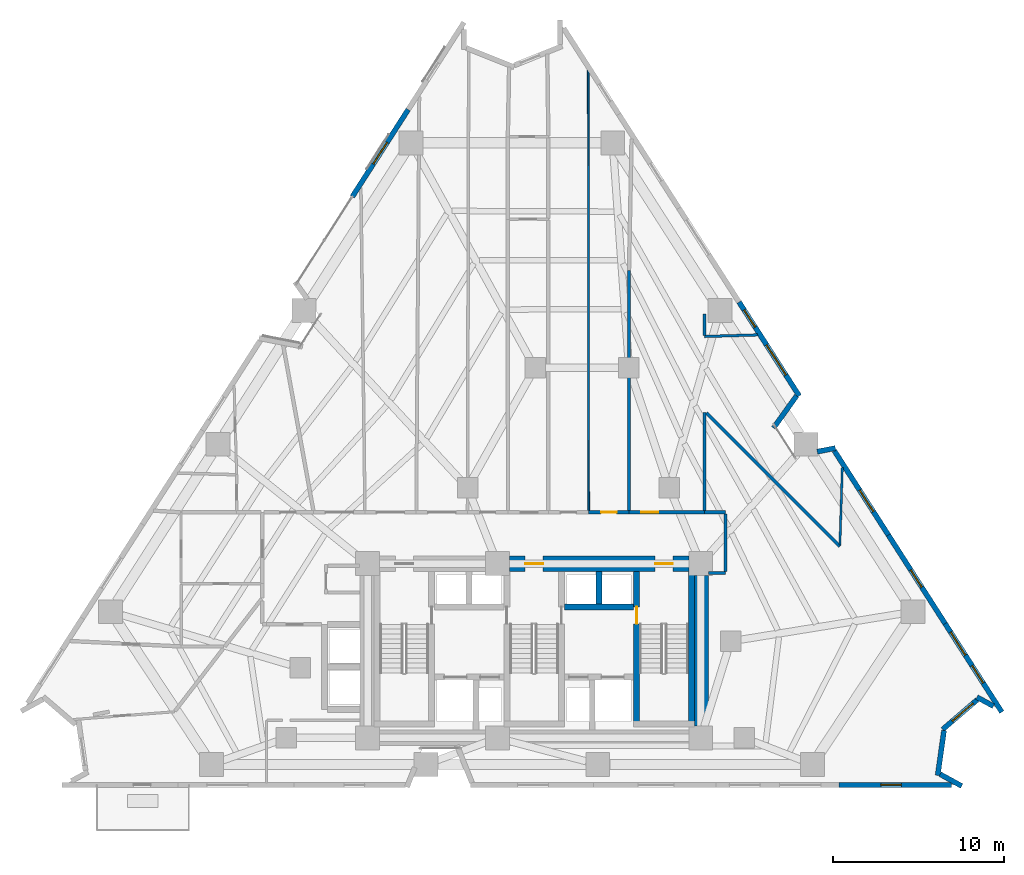
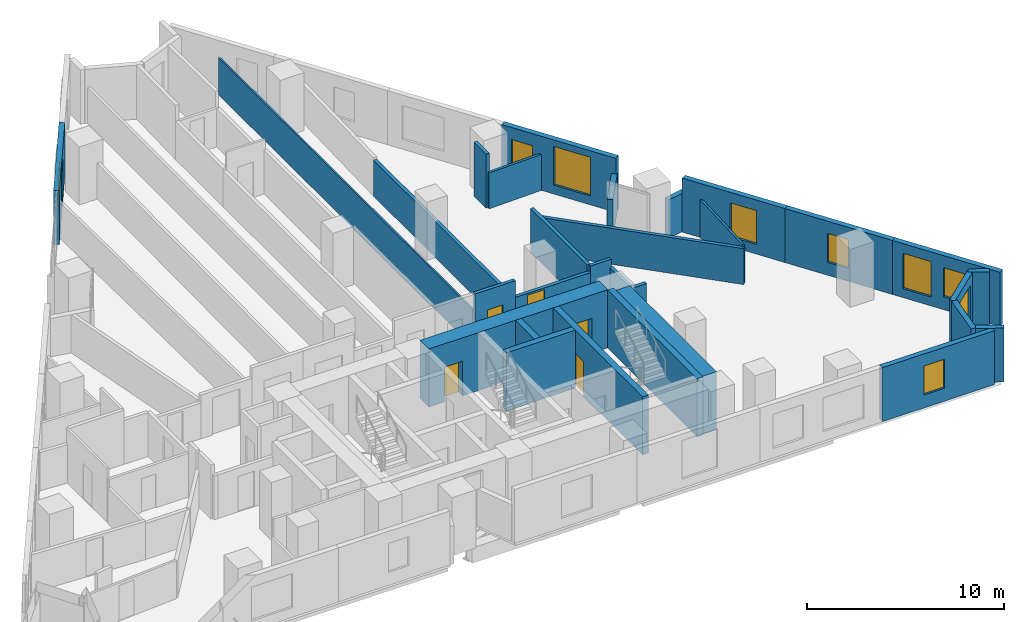
# One storey, part 10 of 14: 30 walls, 9 windows, 5 doors, 14 openings.
"""IFC4 building model written with IfcOpenShell, lengths in metres."""

from ifc_helpers import new_model, si_unit, direction, frame, frame_2d, origin, place, context, subcontext, project, spatial, rectangle, extrude, material, layer, layer_set, type_object, element, fill, save


model = new_model("IFC4")

# Units and contexts
model_context = context("Model", 3, precision=1e-05, world=origin(), true_north=direction((0.0, 1.0)))
body_context = subcontext(model_context, "Body", "Model", "MODEL_VIEW")
ifc_project = project(units=[si_unit("LENGTHUNIT", "METRE"), si_unit("AREAUNIT", "SQUARE_METRE"), si_unit("VOLUMEUNIT", "CUBIC_METRE"), si_unit("PLANEANGLEUNIT", "RADIAN"), si_unit("MASSUNIT", "GRAM", prefix="KILO")], contexts=[model_context])

# Site, building, storey
site_placement = place(None, origin())
site = spatial("IfcSite", under=ifc_project, at=site_placement, CompositionType="ELEMENT")
building_placement = place(site_placement, origin())
building = spatial("IfcBuilding", under=site, at=building_placement, Name="Almagre Mirador Tower", CompositionType="ELEMENT")
storey_placement = place(building_placement, frame((0.0, 0.0, 35.39990234375)))
storey = spatial("IfcBuildingStorey", under=building, at=storey_placement, Name="L07", CompositionType="ELEMENT", Elevation=35.39990234375)

# Wall, opening, window
ifc_material_1 = material(Name="Precast concrete C50/60", Category="concrete")
ifc_layer_1 = layer(ifc_material_1, 0.300048828125)
ifc_layer_set_1 = layer_set([ifc_layer_1], Name="Precast concrete C50/60")
wall_type_1 = type_object("IfcWallType", Name="WAL-EXT-300", PredefinedType="SOLIDWALL", material=ifc_layer_set_1)
wall_1_placement = place(storey_placement, frame((26.65673828125, 36.219970703125, 0.0), z_axis=(0.0, 0.0, 1.0), x_axis=(0.539506453767, 0.841981464371, 0.0)))
wall_1 = element("IfcWall", 1, at=wall_1_placement, inside=storey, type_object=wall_type_1, Name="L07 expressed almagre precast frame wall 03", PredefinedType="SOLIDWALL", context=body_context, shape_type="SweptSolid", body=[
    extrude(rectangle(XDim=6.058349609375, YDim=0.300048828125, at=frame_2d((3.029296875, 0.0))), origin(), (0.0, 0.0, 1.0), 3.35009765625),
])
opening_1_placement = place(wall_1_placement, frame((2.27490234375, 0.0, 0.60009765625)))
opening_1 = element("IfcOpeningElement", 2, at=opening_1_placement, cuts=wall_1, Name="Opening WN-03", PredefinedType="OPENING", context=body_context, shape_type="SweptSolid", body=[
    extrude(rectangle(XDim=1.5, YDim=2.10009765625, at=frame_2d((0.75, 1.050048828125))), frame((0.0, 0.159902, 0.0), z_axis=(0.0, -1.0, 0.0), x_axis=(1.0, 0.0, 0.0)), (0.0, 0.0, 1.0), 0.320049),
])
ifc_material_2 = material(Name="Dark solar-control laminated hurricane glass", Category="glass")
window_type_1 = type_object("IfcWindowType", Name="WIN-1500X2100", PartitioningType="DOUBLE_PANEL_VERTICAL", PredefinedType="WINDOW", material=ifc_material_2)
window_1_placement = place(opening_1_placement, origin())
window_1 = element("IfcWindow", 3, at=window_1_placement, inside=storey, type_object=window_type_1, Name="L07 recessed hurricane window L07-RST-K", OverallHeight=2.10009765625, OverallWidth=1.5, PartitioningType="SINGLE_PANEL", PredefinedType="WINDOW", context=body_context, shape_type="SweptSolid", body=[
    extrude(rectangle(XDim=1.5, YDim=2.10009765625, at=frame_2d((0.75, 1.050048828125))), frame((0.0, 0.030029296875, 0.0), z_axis=(0.0, -1.0, 0.0), x_axis=(1.0, 0.0, 0.0)), (0.0, 0.0, 1.0), 0.06005859375),
])
fill(opening_1, window_1)

# Wall, openings, windows
wall_2_placement = place(storey_placement, frame((49.292724609375, 30.056640625, 0.0), z_axis=(0.0, 0.0, 1.0), x_axis=(0.539509050887, -0.84197980024, 0.0)))
wall_2 = element("IfcWall", 4, at=wall_2_placement, inside=storey, type_object=wall_type_1, Name="L07 expressed almagre precast frame wall 12", PredefinedType="SOLIDWALL", context=body_context, shape_type="SweptSolid", body=[
    extrude(rectangle(XDim=6.52587890625, YDim=0.300048828125, at=frame_2d((3.262939453125, 0.0))), origin(), (0.0, 0.0, 1.0), 3.35009765625),
])
opening_2_placement = place(wall_2_placement, frame((2.97509765625, 0.0, 0.550048828125)))
opening_2 = element("IfcOpeningElement", 5, at=opening_2_placement, cuts=wall_2, Name="Opening WN-05", PredefinedType="OPENING", context=body_context, shape_type="SweptSolid", body=[
    extrude(rectangle(XDim=2.10009765625, YDim=2.39990234375, at=frame_2d((1.050048828125, 1.199951171875))), frame((0.0, 0.159902, 0.0), z_axis=(0.0, -1.0, 0.0), x_axis=(1.0, 0.0, 0.0)), (0.0, 0.0, 1.0), 0.320049),
])
opening_3_placement = place(wall_2_placement, frame((0.550048828125, 0.0, 0.800048828125)))
opening_3 = element("IfcOpeningElement", 6, at=opening_3_placement, cuts=wall_2, Name="Opening WN-04", PredefinedType="OPENING", context=body_context, shape_type="SweptSolid", body=[
    extrude(rectangle(XDim=1.199951171875, YDim=1.800048828125, at=frame_2d((0.60009765625, 0.89990234375))), frame((0.0, 0.159902, 0.0), z_axis=(0.0, -1.0, 0.0), x_axis=(1.0, 0.0, 0.0)), (0.0, 0.0, 1.0), 0.320049),
])
ifc_material_3 = material(Name="Dark solar-control laminated hurricane glass", Category="glass")
window_type_2 = type_object("IfcWindowType", Name="WIN-1200X1800", PartitioningType="SINGLE_PANEL", PredefinedType="WINDOW", material=ifc_material_3)
window_2_placement = place(opening_3_placement, origin())
window_2 = element("IfcWindow", 7, at=window_2_placement, inside=storey, type_object=window_type_2, Name="L07 recessed hurricane window L07-UJ-BT", OverallHeight=1.800048828125, OverallWidth=1.199951171875, PartitioningType="SINGLE_PANEL", PredefinedType="WINDOW", context=body_context, shape_type="SweptSolid", body=[
    extrude(rectangle(XDim=1.199951171875, YDim=1.800048828125, at=frame_2d((0.60009765625, 0.89990234375))), frame((0.0, 0.030029296875, 0.0), z_axis=(0.0, -1.0, 0.0), x_axis=(1.0, 0.0, 0.0)), (0.0, 0.0, 1.0), 0.06005859375),
])
fill(opening_3, window_2)
ifc_material_4 = material(Name="Dark solar-control laminated hurricane glass", Category="glass")
window_type_3 = type_object("IfcWindowType", Name="WIN-2100X2400", PartitioningType="DOUBLE_PANEL_VERTICAL", PredefinedType="WINDOW", material=ifc_material_4)
window_3_placement = place(opening_2_placement, origin())
window_3 = element("IfcWindow", 8, at=window_3_placement, inside=storey, type_object=window_type_3, Name="L07 recessed hurricane window L07-UJ-ST", OverallHeight=2.39990234375, OverallWidth=2.10009765625, PartitioningType="SINGLE_PANEL", PredefinedType="WINDOW", context=body_context, shape_type="SweptSolid", body=[
    extrude(rectangle(XDim=2.10009765625, YDim=2.39990234375, at=frame_2d((1.050048828125, 1.199951171875))), frame((0.0, 0.030029296875, 0.0), z_axis=(0.0, -1.0, 0.0), x_axis=(1.0, 0.0, 0.0)), (0.0, 0.0, 1.0), 0.06005859375),
])
fill(opening_2, window_3)

# Walls
wall_3_placement = place(storey_placement, frame((52.656494140625, 24.566162109375, 0.0), z_axis=(0.0, 0.0, 1.0), x_axis=(-0.583053244013, -0.812433944789, 0.0)))
element("IfcWall", 9, at=wall_3_placement, inside=storey, type_object=wall_type_1, Name="L07 expressed almagre precast frame wall 13", PredefinedType="SOLIDWALL", context=body_context, shape_type="SweptSolid", body=[
    extrude(rectangle(XDim=2.31396484375, YDim=0.300048828125, at=frame_2d((1.156982421875, 0.0))), origin(), (0.0, 0.0, 1.0), 2.375),
])
wall_4_placement = place(storey_placement, frame((53.864013671875, 21.302001953125, 0.0), z_axis=(0.0, 0.0, 1.0), x_axis=(0.981752657473, 0.190162350493, 0.0)))
element("IfcWall", 10, at=wall_4_placement, inside=storey, type_object=wall_type_1, Name="L07 expressed almagre precast frame wall 14", PredefinedType="SOLIDWALL", context=body_context, shape_type="SweptSolid", body=[
    extrude(rectangle(XDim=1.0810546875, YDim=0.300048828125, at=frame_2d((0.54052734375, 0.0))), origin(), (0.0, 0.0, 1.0), 2.375),
])

# Wall, opening, window
wall_5_placement = place(storey_placement, frame((54.863525390625, 21.363037109375, 0.0), z_axis=(0.0, 0.0, 1.0), x_axis=(0.539525561028, -0.841969220932, 0.0)))
wall_5 = element("IfcWall", 11, at=wall_5_placement, inside=storey, type_object=wall_type_1, Name="L07 expressed almagre precast frame wall 15", PredefinedType="SOLIDWALL", context=body_context, shape_type="SweptSolid", body=[
    extrude(rectangle(XDim=5.871826171875, YDim=0.300048828125, at=frame_2d((2.93603515625, 0.0))), origin(), (0.0, 0.0, 1.0), 3.35009765625),
])
opening_4_placement = place(wall_5_placement, frame((2.7451171875, 0.0, 0.60009765625)))
opening_4 = element("IfcOpeningElement", 12, at=opening_4_placement, cuts=wall_5, Name="Opening WN-03", PredefinedType="OPENING", context=body_context, shape_type="SweptSolid", body=[
    extrude(rectangle(XDim=1.5, YDim=2.10009765625, at=frame_2d((0.75, 1.050048828125))), frame((0.0, 0.159902, 0.0), z_axis=(0.0, -1.0, 0.0), x_axis=(1.0, 0.0, 0.0)), (0.0, 0.0, 1.0), 0.320049),
])
window_4_placement = place(opening_4_placement, origin())
window_4 = element("IfcWindow", 13, at=window_4_placement, inside=storey, type_object=window_type_1, Name="L07 recessed hurricane window L07-UJ-KT", OverallHeight=2.10009765625, OverallWidth=1.5, PartitioningType="SINGLE_PANEL", PredefinedType="WINDOW", context=body_context, shape_type="SweptSolid", body=[
    extrude(rectangle(XDim=1.5, YDim=2.10009765625, at=frame_2d((0.75, 1.050048828125))), frame((0.0, 0.030029296875, 0.0), z_axis=(0.0, -1.0, 0.0), x_axis=(1.0, 0.0, 0.0)), (0.0, 0.0, 1.0), 0.06005859375),
])
fill(opening_4, window_4)

wall_6_placement = place(storey_placement, frame((58.031494140625, 16.419189453125, 0.0), z_axis=(0.0, 0.0, 1.0), x_axis=(0.539543497538, -0.841957727125, 0.0)))
wall_6 = element("IfcWall", 14, at=wall_6_placement, inside=storey, type_object=wall_type_1, Name="L07 expressed almagre precast frame wall 16", PredefinedType="SOLIDWALL", context=body_context, shape_type="SweptSolid", body=[
    extrude(rectangle(XDim=6.151611328125, YDim=0.300048828125, at=frame_2d((3.07568359375, 0.0))), origin(), (0.0, 0.0, 1.0), 3.35009765625),
])
opening_5_placement = place(wall_6_placement, frame((2.425048828125, 0.0, 0.800048828125)))
opening_5 = element("IfcOpeningElement", 15, at=opening_5_placement, cuts=wall_6, Name="Opening WN-04", PredefinedType="OPENING", context=body_context, shape_type="SweptSolid", body=[
    extrude(rectangle(XDim=1.199951171875, YDim=1.800048828125, at=frame_2d((0.60009765625, 0.89990234375))), frame((0.0, 0.159902, 0.0), z_axis=(0.0, -1.0, 0.0), x_axis=(1.0, 0.0, 0.0)), (0.0, 0.0, 1.0), 0.320049),
])
window_5_placement = place(opening_5_placement, origin())
window_5 = element("IfcWindow", 16, at=window_5_placement, inside=storey, type_object=window_type_2, Name="L07 recessed hurricane window L07-UJ-KT", OverallHeight=1.800048828125, OverallWidth=1.199951171875, PartitioningType="SINGLE_PANEL", PredefinedType="WINDOW", context=body_context, shape_type="SweptSolid", body=[
    extrude(rectangle(XDim=1.199951171875, YDim=1.800048828125, at=frame_2d((0.60009765625, 0.89990234375))), frame((0.0, 0.030029296875, 0.0), z_axis=(0.0, -1.0, 0.0), x_axis=(1.0, 0.0, 0.0)), (0.0, 0.0, 1.0), 0.06005859375),
])
fill(opening_5, window_5)

# Wall, openings, windows
wall_7_placement = place(storey_placement, frame((61.3505859375, 11.23974609375, 0.0), z_axis=(0.0, 0.0, 1.0), x_axis=(0.539497334835, -0.841987307331, 0.0)))
wall_7 = element("IfcWall", 17, at=wall_7_placement, inside=storey, type_object=wall_type_1, Name="L07 expressed almagre precast frame wall 17", PredefinedType="SOLIDWALL", context=body_context, shape_type="SweptSolid", body=[
    extrude(rectangle(XDim=6.15185546875, YDim=0.300048828125, at=frame_2d((3.075927734375, 0.0))), origin(), (0.0, 0.0, 1.0), 3.35009765625),
])
opening_6_placement = place(wall_7_placement, frame((2.925048828125, 0.0, 0.800048828125)))
opening_6 = element("IfcOpeningElement", 18, at=opening_6_placement, cuts=wall_7, Name="Opening WN-04", PredefinedType="OPENING", context=body_context, shape_type="SweptSolid", body=[
    extrude(rectangle(XDim=1.199951171875, YDim=1.800048828125, at=frame_2d((0.60009765625, 0.89990234375))), frame((0.0, 0.159902, 0.0), z_axis=(0.0, -1.0, 0.0), x_axis=(1.0, 0.0, 0.0)), (0.0, 0.0, 1.0), 0.320049),
])
opening_7_placement = place(wall_7_placement, frame((0.60009765625, 0.0, 0.550048828125)))
opening_7 = element("IfcOpeningElement", 19, at=opening_7_placement, cuts=wall_7, Name="Opening WN-06", PredefinedType="OPENING", context=body_context, shape_type="SweptSolid", body=[
    extrude(rectangle(XDim=1.60009765625, YDim=2.199951171875, at=frame_2d((0.800048828125, 1.10009765625))), frame((0.0, 0.159902, 0.0), z_axis=(0.0, -1.0, 0.0), x_axis=(1.0, 0.0, 0.0)), (0.0, 0.0, 1.0), 0.320049),
])
window_6_placement = place(opening_6_placement, origin())
window_6 = element("IfcWindow", 20, at=window_6_placement, inside=storey, type_object=window_type_2, Name="L07 recessed hurricane window L07-RST-F", OverallHeight=1.800048828125, OverallWidth=1.199951171875, PartitioningType="SINGLE_PANEL", PredefinedType="WINDOW", context=body_context, shape_type="SweptSolid", body=[
    extrude(rectangle(XDim=1.199951171875, YDim=1.800048828125, at=frame_2d((0.60009765625, 0.89990234375))), frame((0.0, 0.030029296875, 0.0), z_axis=(0.0, -1.0, 0.0), x_axis=(1.0, 0.0, 0.0)), (0.0, 0.0, 1.0), 0.06005859375),
])
fill(opening_6, window_6)
ifc_material_5 = material(Name="Dark solar-control laminated hurricane glass", Category="glass")
window_type_4 = type_object("IfcWindowType", Name="WIN-1600X2200", PartitioningType="DOUBLE_PANEL_VERTICAL", PredefinedType="WINDOW", material=ifc_material_5)
window_7_placement = place(opening_7_placement, origin())
window_7 = element("IfcWindow", 21, at=window_7_placement, inside=storey, type_object=window_type_4, Name="L07 recessed hurricane window L07-UJ-KT", OverallHeight=2.199951171875, OverallWidth=1.60009765625, PartitioningType="SINGLE_PANEL", PredefinedType="WINDOW", context=body_context, shape_type="SweptSolid", body=[
    extrude(rectangle(XDim=1.60009765625, YDim=2.199951171875, at=frame_2d((0.800048828125, 1.10009765625))), frame((0.0, 0.030029296875, 0.0), z_axis=(0.0, -1.0, 0.0), x_axis=(1.0, 0.0, 0.0)), (0.0, 0.0, 1.0), 0.06005859375),
])
fill(opening_7, window_7)

# Wall
wall_8_placement = place(storey_placement, frame((64.17724609375, 6.406005859375, 0.0), z_axis=(0.0, 0.0, 1.0), x_axis=(-0.877235899632, 0.480059555052, 0.0)))
element("IfcWall", 22, at=wall_8_placement, inside=storey, type_object=wall_type_1, Name="L07 expressed almagre precast frame wall 18", PredefinedType="SOLIDWALL", context=body_context, shape_type="SweptSolid", body=[
    extrude(rectangle(XDim=1.1044921875, YDim=0.300048828125, at=frame_2d((0.55224609375, 0.0))), origin(), (0.0, 0.0, 1.0), 3.35009765625),
])

# Wall, opening, window
wall_9_placement = place(storey_placement, frame((63.224853515625, 6.77783203125, 0.0), z_axis=(0.0, 0.0, 1.0), x_axis=(-0.758681082232, -0.651462213381, 0.0)))
wall_9 = element("IfcWall", 23, at=wall_9_placement, inside=storey, type_object=wall_type_1, Name="L07 expressed almagre precast frame wall 19", PredefinedType="SOLIDWALL", context=body_context, shape_type="SweptSolid", body=[
    extrude(rectangle(XDim=2.66650390625, YDim=0.300048828125, at=frame_2d((1.333251953125, 0.0))), origin(), (0.0, 0.0, 1.0), 3.35009765625),
])
opening_8_placement = place(wall_9_placement, frame((0.320068359375, 0.0, 0.550048828125)))
opening_8 = element("IfcOpeningElement", 24, at=opening_8_placement, cuts=wall_9, Name="Opening WN-06", PredefinedType="OPENING", context=body_context, shape_type="SweptSolid", body=[
    extrude(rectangle(XDim=1.60009765625, YDim=2.199951171875, at=frame_2d((0.800048828125, 1.10009765625))), frame((0.0, 0.159902, 0.0), z_axis=(0.0, -1.0, 0.0), x_axis=(1.0, 0.0, 0.0)), (0.0, 0.0, 1.0), 0.320049),
])
window_8_placement = place(opening_8_placement, origin())
window_8 = element("IfcWindow", 25, at=window_8_placement, inside=storey, type_object=window_type_4, Name="L07 recessed hurricane window L07-RST-F", OverallHeight=2.199951171875, OverallWidth=1.60009765625, PartitioningType="SINGLE_PANEL", PredefinedType="WINDOW", context=body_context, shape_type="SweptSolid", body=[
    extrude(rectangle(XDim=1.60009765625, YDim=2.199951171875, at=frame_2d((0.800048828125, 1.10009765625))), frame((0.0, 0.030029296875, 0.0), z_axis=(0.0, -1.0, 0.0), x_axis=(1.0, 0.0, 0.0)), (0.0, 0.0, 1.0), 0.06005859375),
])
fill(opening_8, window_8)

# Walls
wall_10_placement = place(storey_placement, frame((61.287109375, 4.9833984375, 0.0), z_axis=(0.0, 0.0, 1.0), x_axis=(-0.139118263158, -0.990275774144, 0.0)))
element("IfcWall", 26, at=wall_10_placement, inside=storey, type_object=wall_type_1, Name="L07 expressed almagre precast frame wall 20", PredefinedType="SOLIDWALL", context=body_context, shape_type="SweptSolid", body=[
    extrude(rectangle(XDim=2.656982421875, YDim=0.300048828125, at=frame_2d((1.32861328125, 0.0))), origin(), (0.0, 0.0, 1.0), 3.35009765625),
])
wall_11_placement = place(storey_placement, frame((61.055419921875, 2.42626953125, 0.0), z_axis=(0.0, 0.0, 1.0), x_axis=(0.877287752989, -0.479964788767, 0.0)))
element("IfcWall", 27, at=wall_11_placement, inside=storey, type_object=wall_type_1, Name="L07 expressed almagre precast frame wall 21", PredefinedType="SOLIDWALL", context=body_context, shape_type="SweptSolid", body=[
    extrude(rectangle(XDim=1.444580078125, YDim=0.300048828125, at=frame_2d((0.72216796875, 0.0))), origin(), (0.0, 0.0, 1.0), 3.35009765625),
])

# Wall, opening, window
wall_12_placement = place(storey_placement, frame((61.72998046875, 1.800048828125, 0.0), z_axis=(0.0, 0.0, 1.0), x_axis=(-1.0, 0.0, 0.0)))
wall_12 = element("IfcWall", 28, at=wall_12_placement, inside=storey, type_object=wall_type_1, Name="L07 expressed almagre precast frame wall 22", PredefinedType="SOLIDWALL", context=body_context, shape_type="SweptSolid", body=[
    extrude(rectangle(XDim=6.5830078125, YDim=0.300048828125, at=frame_2d((3.29150390625, 0.0))), origin(), (0.0, 0.0, 1.0), 3.35009765625),
])
opening_9_placement = place(wall_12_placement, frame((2.93994140625, 0.0, 0.800048828125)))
opening_9 = element("IfcOpeningElement", 29, at=opening_9_placement, cuts=wall_12, Name="Opening WN-04", PredefinedType="OPENING", context=body_context, shape_type="SweptSolid", body=[
    extrude(rectangle(XDim=1.199951171875, YDim=1.800048828125, at=frame_2d((0.60009765625, 0.89990234375))), frame((0.0, 0.159902, 0.0), z_axis=(0.0, -1.0, 0.0), x_axis=(1.0, 0.0, 0.0)), (0.0, 0.0, 1.0), 0.320049),
])
window_9_placement = place(opening_9_placement, origin())
window_9 = element("IfcWindow", 30, at=window_9_placement, inside=storey, type_object=window_type_2, Name="L07 recessed hurricane window L07-RST-D", OverallHeight=1.800048828125, OverallWidth=1.199951171875, PartitioningType="SINGLE_PANEL", PredefinedType="WINDOW", context=body_context, shape_type="SweptSolid", body=[
    extrude(rectangle(XDim=1.199951171875, YDim=1.800048828125, at=frame_2d((0.60009765625, 0.89990234375))), frame((0.0, 0.030029296875, 0.0), z_axis=(0.0, -1.0, 0.0), x_axis=(1.0, 0.0, 0.0)), (0.0, 0.0, 1.0), 0.06005859375),
])
fill(opening_9, window_9)

# Walls
ifc_material_6 = material(Name="Gypsum acoustic stud partition", Category="other")
ifc_layer_2 = layer(ifc_material_6, 0.10009765625)
ifc_layer_set_2 = layer_set([ifc_layer_2], Name="Gypsum acoustic stud partition")
wall_type_2 = type_object("IfcWallType", Name="WAL-PRT-100-CLS", PredefinedType="PARTITIONING", material=ifc_layer_set_2)
wall_13_placement = place(storey_placement, frame((40.48974609375, 17.8349609375, 0.0), z_axis=(0.0, 0.0, 1.0), x_axis=(-0.000767321348, 0.999999705609, 0.0)))
element("IfcWall", 31, at=wall_13_placement, inside=storey, type_object=wall_type_2, Name="L07 interior partition 062", PredefinedType="PARTITIONING", context=body_context, shape_type="SweptSolid", body=[
    extrude(rectangle(XDim=25.77197265625, YDim=0.10009765625, at=frame_2d((12.885986328125, 0.0))), origin(), (0.0, 0.0, 1.0), 2.30908203125),
])
ifc_material_7 = material(Name="Gypsum acoustic stud partition", Category="other")
ifc_layer_3 = layer(ifc_material_7, 0.125)
ifc_layer_set_3 = layer_set([ifc_layer_3], Name="Gypsum acoustic stud partition")
wall_type_3 = type_object("IfcWallType", Name="WAL-PRT-125-UTL", PredefinedType="PARTITIONING", material=ifc_layer_set_3)
wall_14_placement = place(storey_placement, frame((55.192138671875, 15.844970703125, 0.0), z_axis=(0.0, 0.0, 1.0), x_axis=(0.031449581736, 0.99950533956, 0.0)))
element("IfcWall", 32, at=wall_14_placement, inside=storey, type_object=wall_type_3, Name="L07 interior partition 047", PredefinedType="PARTITIONING", context=body_context, shape_type="SweptSolid", body=[
    extrude(rectangle(XDim=4.541259765625, YDim=0.125, at=frame_2d((2.2705078125, 0.0))), origin(), (0.0, 0.0, 1.0), 2.3701171875),
])
ifc_material_8 = material(Name="Gypsum acoustic stud partition", Category="other")
ifc_layer_4 = layer(ifc_material_8, 0.14990234375)
ifc_layer_set_4 = layer_set([ifc_layer_4], Name="Gypsum acoustic stud partition")
wall_type_4 = type_object("IfcWallType", Name="WAL-PRT-150-STD", PredefinedType="PARTITIONING", material=ifc_layer_set_4)
wall_15_placement = place(storey_placement, frame((50.385009765625, 28.134033203125, 0.0), z_axis=(0.0, 0.0, 1.0), x_axis=(-0.999545052024, -0.030161050633, 0.0)))
element("IfcWall", 33, at=wall_15_placement, inside=storey, type_object=wall_type_4, Name="L07 interior partition 048", PredefinedType="PARTITIONING", context=body_context, shape_type="SweptSolid", body=[
    extrude(rectangle(XDim=3.116455078125, YDim=0.14990234375, at=frame_2d((1.55810546875, 0.0))), origin(), (0.0, 0.0, 1.0), 2.22802734375),
])
ifc_material_9 = material(Name="Gypsum acoustic stud partition", Category="other")
ifc_layer_5 = layer(ifc_material_9, 0.199951171875)
ifc_layer_set_5 = layer_set([ifc_layer_5], Name="Gypsum acoustic stud partition")
wall_type_5 = type_object("IfcWallType", Name="WAL-PRT-200-EI60", PredefinedType="PARTITIONING", material=ifc_layer_set_5)
wall_16_placement = place(storey_placement, frame((47.5, 14.199951171875, 0.0), z_axis=(0.0, 0.0, 1.0), x_axis=(1.0, 0.0, 0.0)))
element("IfcWall", 34, at=wall_16_placement, inside=storey, type_object=wall_type_5, Name="L07 interior partition 004", PredefinedType="PARTITIONING", context=body_context, shape_type="SweptSolid", body=[
    extrude(rectangle(XDim=1.0, YDim=0.199951171875, at=frame_2d((0.5, 0.0))), origin(), (0.0, 0.0, 1.0), 3.35009765625),
])
wall_17_placement = place(storey_placement, frame((48.5, 17.75, 0.0), z_axis=(0.0, 0.0, 1.0), x_axis=(-1.0, 0.0, 0.0)))
element("IfcWall", 35, at=wall_17_placement, inside=storey, type_object=wall_type_5, Name="L07 interior partition 010", PredefinedType="PARTITIONING", context=body_context, shape_type="SweptSolid", body=[
    extrude(rectangle(XDim=1.22998046875, YDim=0.199951171875, at=frame_2d((0.614990234375, 0.0))), origin(), (0.0, 0.0, 1.0), 2.712158203125),
])

# Wall, opening, door
wall_18_placement = place(storey_placement, frame((42.85009765625, 17.75, 0.0), z_axis=(0.0, 0.0, 1.0), x_axis=(-1.0, 0.0, 0.0)))
wall_18 = element("IfcWall", 36, at=wall_18_placement, inside=storey, type_object=wall_type_5, Name="L07 interior partition 018", PredefinedType="PARTITIONING", context=body_context, shape_type="SweptSolid", body=[
    extrude(rectangle(XDim=2.360107421875, YDim=0.199951171875, at=frame_2d((1.18017578125, 0.0))), origin(), (0.0, 0.0, 1.0), 3.35009765625),
])
opening_10_placement = place(wall_18_placement, frame((0.72998046875, 0.0, 0.0)))
opening_10 = element("IfcOpeningElement", 37, at=opening_10_placement, cuts=wall_18, Name="Opening ID-03", PredefinedType="OPENING", context=body_context, shape_type="SweptSolid", body=[
    extrude(rectangle(XDim=0.89990234375, YDim=2.10009765625, at=frame_2d((0.449951171875, 1.050048828125))), frame((0.0, 0.110098, 0.0), z_axis=(0.0, -1.0, 0.0), x_axis=(1.0, 0.0, 0.0)), (0.0, 0.0, 1.0), 0.219951),
])
ifc_material_10 = material(Name="Fire-rated hollow steel", Category="steel")
door_type_1 = type_object("IfcDoorType", Name="DOR-FD60-900X2100", OperationType="NOTDEFINED", PredefinedType="DOOR", material=ifc_material_10)
door_1_placement = place(opening_10_placement, origin())
door_1 = element("IfcDoor", 38, at=door_1_placement, inside=storey, type_object=door_type_1, Name="DR-0212 L07 interior door L07-RCOR to L07-RST-A", OperationType="SINGLE_SWING_RIGHT", OverallHeight=2.10009765625, OverallWidth=0.89990234375, PredefinedType="DOOR", context=body_context, shape_type="SweptSolid", body=[
    extrude(rectangle(XDim=0.89990234375, YDim=2.10009765625, at=frame_2d((0.449951171875, 1.050048828125))), frame((0.0, 0.02490234375, 0.0), z_axis=(0.0, -1.0, 0.0), x_axis=(1.0, 0.0, 0.0)), (0.0, 0.0, 1.0), 0.050048828125),
])
fill(opening_10, door_1)

wall_19_placement = place(storey_placement, frame((47.27001953125, 17.75, 0.0), z_axis=(0.0, 0.0, 1.0), x_axis=(-1.0, 0.0, 0.0)))
wall_19 = element("IfcWall", 39, at=wall_19_placement, inside=storey, type_object=wall_type_5, Name="L07 interior partition 019", PredefinedType="PARTITIONING", context=body_context, shape_type="SweptSolid", body=[
    extrude(rectangle(XDim=4.419921875, YDim=0.199951171875, at=frame_2d((2.2099609375, 0.0))), origin(), (0.0, 0.0, 1.0), 2.30908203125),
])
opening_11_placement = place(wall_19_placement, frame((2.698486328125, 0.0, 0.0)))
opening_11 = element("IfcOpeningElement", 40, at=opening_11_placement, cuts=wall_19, Name="Opening ID-01", PredefinedType="OPENING", context=body_context, shape_type="SweptSolid", body=[
    extrude(rectangle(XDim=1.0, YDim=2.199951171875, at=frame_2d((0.5, 1.10009765625))), frame((0.0, 0.110098, 0.0), z_axis=(0.0, -1.0, 0.0), x_axis=(1.0, 0.0, 0.0)), (0.0, 0.0, 1.0), 0.219951),
])
ifc_material_11 = material(Name="Fire-rated walnut timber", Category="wood")
door_type_2 = type_object("IfcDoorType", Name="DOR-FD60-1000X2200", OperationType="NOTDEFINED", PredefinedType="DOOR", material=ifc_material_11)
door_2_placement = place(opening_11_placement, origin())
door_2 = element("IfcDoor", 41, at=door_2_placement, inside=storey, type_object=door_type_2, Name="DR-0219 L07 interior door L07-RCOR to L07-UB-ST-2", OperationType="SINGLE_SWING_RIGHT", OverallHeight=2.199951171875, OverallWidth=1.0, PredefinedType="DOOR", context=body_context, shape_type="SweptSolid", body=[
    extrude(rectangle(XDim=1.0, YDim=2.199951171875, at=frame_2d((0.5, 1.10009765625))), frame((0.0, 0.02490234375, 0.0), z_axis=(0.0, -1.0, 0.0), x_axis=(1.0, 0.0, 0.0)), (0.0, 0.0, 1.0), 0.050048828125),
])
fill(opening_11, door_2)

# Walls
wall_20_placement = place(storey_placement, frame((55.18994140625, 15.760009765625, 0.0), z_axis=(0.0, 0.0, 1.0), x_axis=(-0.707106781187, 0.707106781187, 0.0)))
element("IfcWall", 42, at=wall_20_placement, inside=storey, type_object=wall_type_5, Name="L07 interior partition 039", PredefinedType="PARTITIONING", context=body_context, shape_type="SweptSolid", body=[
    extrude(rectangle(XDim=11.04052734375, YDim=0.199951171875, at=frame_2d((5.520263671875, 0.0))), origin(), (0.0, 0.0, 1.0), 2.22802734375),
])
wall_21_placement = place(storey_placement, frame((47.27001953125, 23.594970703125, 0.0), z_axis=(0.0, 0.0, 1.0), x_axis=(0.0, -1.0, 0.0)))
element("IfcWall", 43, at=wall_21_placement, inside=storey, type_object=wall_type_5, Name="L07 interior partition 041", PredefinedType="PARTITIONING", context=body_context, shape_type="SweptSolid", body=[
    extrude(rectangle(XDim=5.760009765625, YDim=0.199951171875, at=frame_2d((2.8798828125, 0.0))), origin(), (0.0, 0.0, 1.0), 2.712158203125),
])
wall_22_placement = place(storey_placement, frame((47.27001953125, 29.35009765625, 0.0), z_axis=(0.0, 0.0, 1.0), x_axis=(0.0, -1.0, 0.0)))
element("IfcWall", 44, at=wall_22_placement, inside=storey, type_object=wall_type_5, Name="L07 interior partition 050", PredefinedType="PARTITIONING", context=body_context, shape_type="SweptSolid", body=[
    extrude(rectangle(XDim=1.25, YDim=0.199951171875, at=frame_2d((0.625, 0.0))), origin(), (0.0, 0.0, 1.0), 3.35009765625),
])
wall_23_placement = place(storey_placement, frame((42.85009765625, 17.8349609375, 0.0), z_axis=(0.0, 0.0, 1.0), x_axis=(0.0, 1.0, 0.0)))
element("IfcWall", 45, at=wall_23_placement, inside=storey, type_object=wall_type_5, Name="L07 interior partition 063", PredefinedType="PARTITIONING", context=body_context, shape_type="SweptSolid", body=[
    extrude(rectangle(XDim=14.054931640625, YDim=0.199951171875, at=frame_2d((7.02734375, 0.0))), origin(), (0.0, 0.0, 1.0), 2.22802734375),
])
wall_24_placement = place(storey_placement, frame((48.5, 14.284912109375, 0.0), z_axis=(0.0, 0.0, 1.0), x_axis=(0.0, 1.0, 0.0)))
element("IfcWall", 46, at=wall_24_placement, inside=storey, type_object=wall_type_5, Name="L07 interior partition 068", PredefinedType="PARTITIONING", context=body_context, shape_type="SweptSolid", body=[
    extrude(rectangle(XDim=3.380126953125, YDim=0.199951171875, at=frame_2d((1.68994140625, 0.0))), origin(), (0.0, 0.0, 1.0), 2.22802734375),
])

# Wall, opening, door
ifc_material_12 = material(Name="Concrete C60/75", Category="concrete")
ifc_layer_6 = layer(ifc_material_12, 0.35009765625)
ifc_layer_set_6 = layer_set([ifc_layer_6], Name="Concrete C60/75")
wall_type_6 = type_object("IfcWallType", Name="WAL-SHF-350", PredefinedType="SOLIDWALL", material=ifc_layer_set_6)
wall_25_placement = place(storey_placement, frame((43.300048828125, 5.199951171875, 0.0), z_axis=(0.0, 0.0, 1.0), x_axis=(0.0, 1.0, 0.0)))
wall_25 = element("IfcWall", 47, at=wall_25_placement, inside=storey, type_object=wall_type_6, Name="L07 shaft wall ST3-W", PredefinedType="SOLIDWALL", context=body_context, shape_type="SweptSolid", body=[
    extrude(rectangle(XDim=9.10009765625, YDim=0.35009765625, at=frame_2d((4.550048828125, 0.0))), origin(), (0.0, 0.0, 1.0), 3.60009765625),
])
opening_12_placement = place(wall_25_placement, frame((6.02001953125, 0.0, 0.0)))
opening_12 = element("IfcOpeningElement", 48, at=opening_12_placement, cuts=wall_25, Name="Opening FD-01", PredefinedType="OPENING", context=body_context, shape_type="SweptSolid", body=[
    extrude(rectangle(XDim=1.0, YDim=2.14990234375, at=frame_2d((0.5, 1.074951171875))), frame((0.0, 0.185049, 0.0), z_axis=(0.0, -1.0, 0.0), x_axis=(1.0, 0.0, 0.0)), (0.0, 0.0, 1.0), 0.370098),
])
ifc_material_13 = material(Name="Fire-rated hollow steel", Category="steel")
door_type_3 = type_object("IfcDoorType", Name="DOR-FFL-1000X2150", OperationType="NOTDEFINED", PredefinedType="DOOR", material=ifc_material_13)
door_3_placement = place(opening_12_placement, origin())
door_3 = element("IfcDoor", 49, at=door_3_placement, inside=storey, type_object=door_type_3, Name="DR-0211 L07 FFL2-ST3 smokeproof door", OperationType="SINGLE_SWING_RIGHT", OverallHeight=2.14990234375, OverallWidth=1.0, PredefinedType="DOOR", context=body_context, shape_type="SweptSolid", body=[
    extrude(rectangle(XDim=1.0, YDim=2.14990234375, at=frame_2d((0.5, 1.074951171875))), frame((0.0, 0.02490234375, 0.0), z_axis=(0.0, -1.0, 0.0), x_axis=(1.0, 0.0, 0.0)), (0.0, 0.0, 1.0), 0.050048828125),
])
fill(opening_12, door_3)

# Walls
wall_26_placement = place(storey_placement, frame((46.5, 5.199951171875, 0.0), z_axis=(0.0, 0.0, 1.0), x_axis=(0.0, 1.0, 0.0)))
element("IfcWall", 50, at=wall_26_placement, inside=storey, type_object=wall_type_6, Name="L07 shaft wall ST3-E", PredefinedType="SOLIDWALL", context=body_context, shape_type="SweptSolid", body=[
    extrude(rectangle(XDim=9.10009765625, YDim=0.35009765625, at=frame_2d((4.550048828125, 0.0))), origin(), (0.0, 0.0, 1.0), 3.60009765625),
])
wall_27_placement = place(storey_placement, frame((39.074951171875, 12.199951171875, 0.0), z_axis=(0.0, 0.0, 1.0), x_axis=(1.0, 0.0, 0.0)))
element("IfcWall", 51, at=wall_27_placement, inside=storey, type_object=wall_type_6, Name="L07 shaft wall PLH-S", PredefinedType="SOLIDWALL", context=body_context, shape_type="SweptSolid", body=[
    extrude(rectangle(XDim=4.050048828125, YDim=0.35009765625, at=frame_2d((2.02490234375, 0.0))), origin(), (0.0, 0.0, 1.0), 3.60009765625),
])
wall_28_placement = place(storey_placement, frame((41.10009765625, 12.375, 0.0), z_axis=(0.0, 0.0, 1.0), x_axis=(0.0, 1.0, 0.0)))
element("IfcWall", 52, at=wall_28_placement, inside=storey, type_object=wall_type_6, Name="L07 shaft wall PLH-M", PredefinedType="SOLIDWALL", context=body_context, shape_type="SweptSolid", body=[
    extrude(rectangle(XDim=1.925048828125, YDim=0.35009765625, at=frame_2d((0.96240234375, 0.0))), origin(), (0.0, 0.0, 1.0), 3.60009765625),
])

# Wall, openings, doors
ifc_material_14 = material(Name="Concrete C70/85", Category="concrete")
ifc_layer_7 = layer(ifc_material_14, 0.89990234375)
ifc_layer_set_7 = layer_set([ifc_layer_7], Name="Concrete C70/85")
wall_type_7 = type_object("IfcWallType", Name="WAL-SHR-900", PredefinedType="SHEAR", material=ifc_layer_set_7)
wall_29_placement = place(storey_placement, frame((35.85009765625, 14.75, 0.0), z_axis=(0.0, 0.0, 1.0), x_axis=(1.0, 0.0, 0.0)))
wall_29 = element("IfcWall", 53, at=wall_29_placement, inside=storey, type_object=wall_type_7, Name="L07 core shear wall N2", PredefinedType="SHEAR", context=body_context, shape_type="SweptSolid", body=[
    extrude(rectangle(XDim=10.5, YDim=0.89990234375, at=frame_2d((5.25, 0.0))), origin(), (0.0, 0.0, 1.0), 3.60009765625),
])
opening_13_placement = place(wall_29_placement, frame((0.925048828125, 0.0, 0.0)))
opening_13 = element("IfcOpeningElement", 54, at=opening_13_placement, cuts=wall_29, Name="Opening SD-01", PredefinedType="OPENING", context=body_context, shape_type="SweptSolid", body=[
    extrude(rectangle(XDim=1.050048828125, YDim=2.14990234375, at=frame_2d((0.52490234375, 1.074951171875))), frame((0.0, 0.459951, 0.0), z_axis=(0.0, -1.0, 0.0), x_axis=(1.0, 0.0, 0.0)), (0.0, 0.0, 1.0), 0.919902),
])
opening_14_placement = place(wall_29_placement, frame((8.52490234375, 0.0, 0.0)))
opening_14 = element("IfcOpeningElement", 55, at=opening_14_placement, cuts=wall_29, Name="Opening SD-01", PredefinedType="OPENING", context=body_context, shape_type="SweptSolid", body=[
    extrude(rectangle(XDim=1.050048828125, YDim=2.14990234375, at=frame_2d((0.52490234375, 1.074951171875))), frame((0.0, 0.459951, 0.0), z_axis=(0.0, -1.0, 0.0), x_axis=(1.0, 0.0, 0.0)), (0.0, 0.0, 1.0), 0.919902),
])
ifc_material_15 = material(Name="Fire-rated hollow steel", Category="steel")
door_type_4 = type_object("IfcDoorType", Name="DOR-ST-1050X2150", OperationType="NOTDEFINED", PredefinedType="DOOR", material=ifc_material_15)
door_4_placement = place(opening_13_placement, origin())
door_4 = element("IfcDoor", 56, at=door_4_placement, inside=storey, type_object=door_type_4, Name="DR-0236 L07 protected exit stair ST-2 door", OperationType="SINGLE_SWING_RIGHT", OverallHeight=2.14990234375, OverallWidth=1.050048828125, PredefinedType="DOOR", context=body_context, shape_type="SweptSolid", body=[
    extrude(rectangle(XDim=1.050048828125, YDim=2.14990234375, at=frame_2d((0.52490234375, 1.074951171875))), frame((0.0, 0.02490234375, 0.0), z_axis=(0.0, -1.0, 0.0), x_axis=(1.0, 0.0, 0.0)), (0.0, 0.0, 1.0), 0.050048828125),
])
fill(opening_13, door_4)
door_5_placement = place(opening_14_placement, origin())
door_5 = element("IfcDoor", 57, at=door_5_placement, inside=storey, type_object=door_type_4, Name="DR-0237 L07 protected exit stair ST-3 door", OperationType="SINGLE_SWING_LEFT", OverallHeight=2.14990234375, OverallWidth=1.050048828125, PredefinedType="DOOR", context=body_context, shape_type="SweptSolid", body=[
    extrude(rectangle(XDim=1.050048828125, YDim=2.14990234375, at=frame_2d((0.52490234375, 1.074951171875))), frame((0.0, 0.02490234375, 0.0), z_axis=(0.0, -1.0, 0.0), x_axis=(1.0, 0.0, 0.0)), (0.0, 0.0, 1.0), 0.050048828125),
])
fill(opening_14, door_5)

# Wall
wall_30_placement = place(storey_placement, frame((47.050048828125, 5.25, 0.0), z_axis=(0.0, 0.0, 1.0), x_axis=(0.0, 1.0, 0.0)))
element("IfcWall", 58, at=wall_30_placement, inside=storey, type_object=wall_type_7, Name="L07 core shear wall E1", PredefinedType="SHEAR", context=body_context, shape_type="SweptSolid", body=[
    extrude(rectangle(XDim=8.800048828125, YDim=0.89990234375, at=frame_2d((4.39990234375, 0.0))), origin(), (0.0, 0.0, 1.0), 3.60009765625),
])

save(model, "model.ifc")
